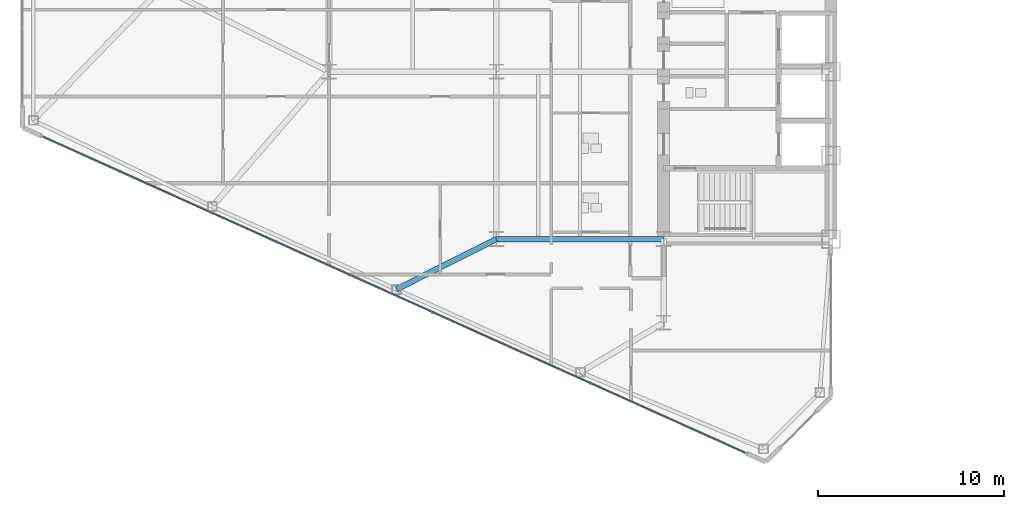
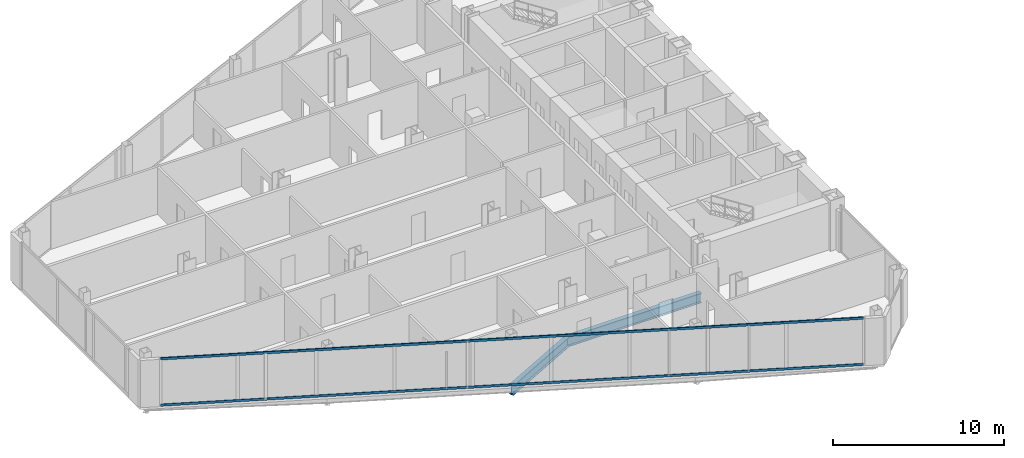
# One storey, part 4 of 27: 2 beams, 2 members, 1 element without a shape of its own.
"""IFC4 building model written with IfcOpenShell, lengths in metres."""

from ifc_helpers import new_model, si_unit, direction, frame, origin, origin_2d, place, context, subcontext, project, spatial, rectangle, i_section, extrude, source, transform, mapped, material, layer, layer_set, material_profile, profile_set, type_object, type_shapes, element, aggregate, save


model = new_model("IFC4")

# Units and contexts
model_context = context("Model", 3, precision=1e-05, world=origin(), true_north=direction((0.0, 1.0)))
body_context = subcontext(model_context, "Body", "Model", "MODEL_VIEW")
ifc_project = project(units=[si_unit("LENGTHUNIT", "METRE"), si_unit("AREAUNIT", "SQUARE_METRE"), si_unit("VOLUMEUNIT", "CUBIC_METRE"), si_unit("PLANEANGLEUNIT", "RADIAN"), si_unit("MASSUNIT", "GRAM", prefix="KILO")], contexts=[model_context])

# Site, building, storey
site_placement = place(None, origin())
site = spatial("IfcSite", under=ifc_project, at=site_placement, CompositionType="ELEMENT")
building_placement = place(site_placement, origin())
building = spatial("IfcBuilding", under=site, at=building_placement, Name="Seokmaru Belvedere", CompositionType="ELEMENT")
storey_placement = place(building_placement, frame((0.0, 0.0, 103.199951171875)))
storey = spatial("IfcBuildingStorey", under=building, at=storey_placement, Name="L27", CompositionType="ELEMENT", Elevation=103.199951171875)

# Beams
ifc_material_1 = material(Name="Steel SM355 (355 MPa)", Category="steel")
ifc_material_profile_1 = material_profile(ifc_material_1, i_section(OverallWidth=0.300048828125, OverallDepth=0.699951171875, WebThickness=0.012939453125, FlangeThickness=0.02392578125, at=origin_2d()), Name="H-700x300x13x24")
ifc_profile_set_1 = profile_set([ifc_material_profile_1], Name="Steel SM355 (355 MPa)")
beam_type = type_object("IfcBeamType", Name="Primary Floor Girder H-700", PredefinedType="BEAM", material=ifc_profile_set_1)
shared_shape_1 = source(origin(), body_context, "Body", "SweptSolid", [
    extrude(i_section(OverallWidth=0.300048828125, OverallDepth=0.699951171875, WebThickness=0.012939453125, FlangeThickness=0.02392578125, at=origin_2d()), origin(), (0.0, 0.0, 1.0), 9.0),
])
beam_1_placement = place(storey_placement, frame((-45.5, -13.5, -0.570068359375), z_axis=(1.0, 0.0, 0.0), x_axis=(0.0, 1.0, 0.0)))
element("IfcBeam", 1, at=beam_1_placement, inside=storey, type_object=beam_type, Name="L27 W Wing Primary Girder 1", PredefinedType="BEAM", context=body_context, shape_type="MappedRepresentation", body=[
    mapped(shared_shape_1, transform((0.0, 0.0, 0.0), scale=1.0)),
])
shared_shape_2 = source(origin(), body_context, "Body", "SweptSolid", [
    extrude(i_section(OverallWidth=0.300048828125, OverallDepth=0.699951171875, WebThickness=0.012939453125, FlangeThickness=0.02392578125, at=origin_2d()), origin(), (0.0, 0.0, 1.0), 6.017333984375),
])
type_shapes(beam_type, [shared_shape_1, shared_shape_2])
beam_2_placement = place(storey_placement, frame((-50.875, -16.205322265625, -0.570068359375), z_axis=(0.893239341975, 0.449581447512, 0.0), x_axis=(-0.449581447512, 0.893239341975, 0.0)))
element("IfcBeam", 2, at=beam_2_placement, inside=storey, type_object=beam_type, Name="L27 W Flank Radial Floor Girder S-2", PredefinedType="BEAM", context=body_context, shape_type="MappedRepresentation", body=[
    mapped(shared_shape_2, transform((0.0, 0.0, 0.0), scale=1.0)),
])

# Curtain wall, members
ifc_material_2 = material(Name="Bronze Triple Insulating Glass", Category="glass")
ifc_layer = layer(ifc_material_2, 0.195068359375)
ifc_layer_set = layer_set([ifc_layer], Name="Bronze Triple Insulating Glass")
curtain_wall_type = type_object("IfcCurtainWallType", Name="Lower-Mid Tapered Curtain Wall System CW-3", PredefinedType="NOTDEFINED", material=ifc_layer_set)
curtain_wall_placement = place(storey_placement, origin())
curtain_wall = element("IfcCurtainWall", 3, at=curtain_wall_placement, inside=storey, type_object=curtain_wall_type, Name="L27 Curtain Wall WF5", PredefinedType="NOTDEFINED")
ifc_material_3 = material(Name="Anodised Bronze Aluminium", Category="aluminium")
ifc_material_profile_2 = material_profile(ifc_material_3, rectangle(XDim=0.070068359375, YDim=0.1650390625, at=origin_2d()), Name="CW-T-70x165")
ifc_profile_set_2 = profile_set([ifc_material_profile_2], Name="Anodised Bronze Aluminium")
member_type = type_object("IfcMemberType", Name="Bronze Unitised Transom 70x165", PredefinedType="USERDEFINED", material=ifc_profile_set_2)
shared_shape_3 = source(origin(), body_context, "Body", "SweptSolid", [
    extrude(rectangle(XDim=0.070068359375, YDim=0.1650390625, at=origin_2d()), origin(), (0.0, 0.0, 1.0), 41.423583984375),
])
type_shapes(member_type, [shared_shape_3])
member_1_placement = place(storey_placement, frame((-69.887451171875, -8.00048828125, 0.03515625), z_axis=(0.911918637916, -0.410371048956, 0.0), x_axis=(0.410371048956, 0.911918637916, 0.0)))
member_1 = element("IfcMember", 4, at=member_1_placement, type_object=member_type, Name="CW:L27:WF5 Continuous Transom 1", ObjectType="TRANSOM", PredefinedType="USERDEFINED", context=body_context, shape_type="MappedRepresentation", body=[
    mapped(shared_shape_3, transform((0.0, 0.0, 0.0), scale=1.0)),
])
member_2_placement = place(storey_placement, frame((-69.887451171875, -8.00048828125, 3.344970703125), z_axis=(0.911918637916, -0.410371048956, 0.0), x_axis=(0.410371048956, 0.911918637916, 0.0)))
member_2 = element("IfcMember", 5, at=member_2_placement, type_object=member_type, Name="CW:L27:WF5 Continuous Transom 2", ObjectType="TRANSOM", PredefinedType="USERDEFINED", context=body_context, shape_type="MappedRepresentation", body=[
    mapped(shared_shape_3, transform((0.0, 0.0, 0.0), scale=1.0)),
])
aggregate(curtain_wall, [member_1, member_2])

save(model, "model.ifc")
